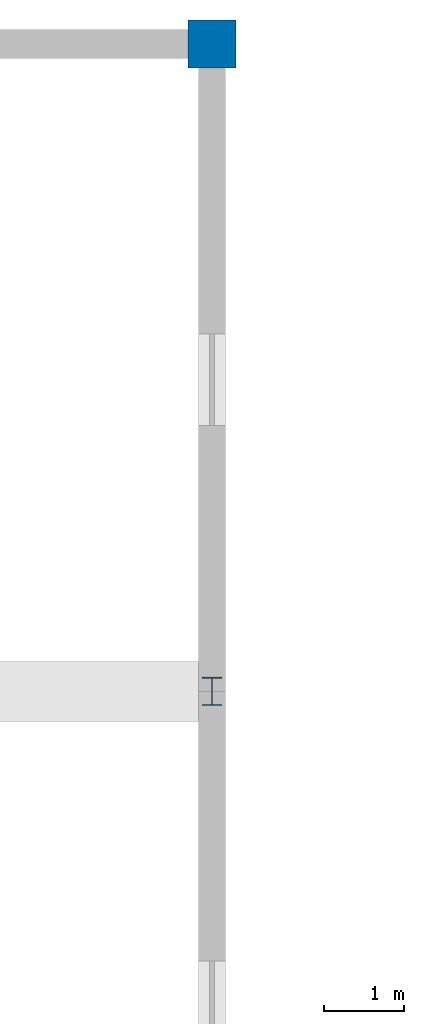
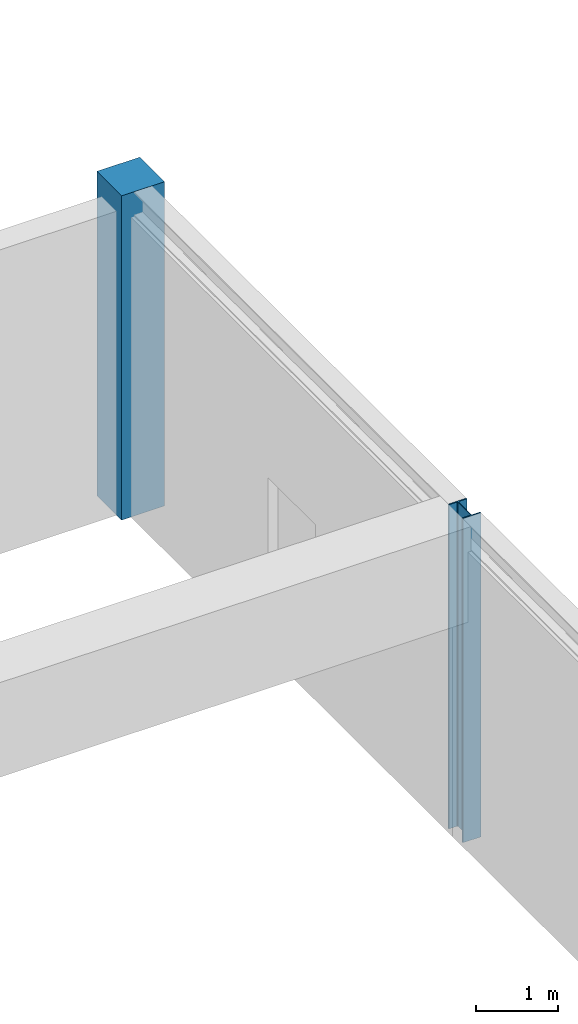
# One storey, part 10 of 58: 2 columns.
"""IFC4 building model written with IfcOpenShell, lengths in metres."""

from ifc_helpers import new_model, si_unit, direction, frame, origin, origin_2d, place, context, subcontext, project, spatial, rectangle, i_section, extrude, material, material_profile, profile_set, type_object, element, save


model = new_model("IFC4")

# Units and contexts
model_context = context("Model", 3, precision=1e-05, world=origin(), true_north=direction((0.0, 1.0)))
body_context = subcontext(model_context, "Body", "Model", "MODEL_VIEW")
ifc_project = project(units=[si_unit("LENGTHUNIT", "METRE"), si_unit("AREAUNIT", "SQUARE_METRE"), si_unit("VOLUMEUNIT", "CUBIC_METRE"), si_unit("PLANEANGLEUNIT", "RADIAN"), si_unit("MASSUNIT", "GRAM", prefix="KILO")], contexts=[model_context])

# Site, building, storey
site_placement = place(None, origin())
site = spatial("IfcSite", under=ifc_project, at=site_placement, CompositionType="ELEMENT")
building_placement = place(site_placement, origin())
building = spatial("IfcBuilding", under=site, at=building_placement, Name="Parian Resonance Hall", CompositionType="ELEMENT")
storey_placement = place(building_placement, frame((0.0, 0.0, 10.199951171875)))
storey = spatial("IfcBuildingStorey", under=building, at=storey_placement, Name="L02", CompositionType="ELEMENT", Elevation=10.199951171875)

# Columns
ifc_material_1 = material(Name="Concrete C40/50", Category="concrete")
ifc_material_profile_1 = material_profile(ifc_material_1, rectangle(XDim=0.60009765625, YDim=0.60009765625, at=origin_2d()), Name="RC-COL-600x600")
ifc_profile_set_1 = profile_set([ifc_material_profile_1], Name="Concrete C40/50")
column_type_1 = type_object("IfcColumnType", Name="COL-RC600", PredefinedType="COLUMN", material=ifc_profile_set_1)
column_1_placement = place(storey_placement, frame((24.300048828125, 105.300048828125, 0.0), z_axis=(0.0, 0.0, 1.0), x_axis=(1.0, 0.0, 0.0)))
element("IfcColumn", 1, at=column_1_placement, inside=storey, type_object=column_type_1, Name="Column G04-14 L02", PredefinedType="COLUMN", context=body_context, shape_type="SweptSolid", body=[
    extrude(rectangle(XDim=0.60009765625, YDim=0.60009765625, at=origin_2d()), origin(), (0.0, 0.0, 1.0), 4.800048828125),
])
ifc_material_2 = material(Name="Steel S355", Category="steel")
ifc_material_profile_2 = material_profile(ifc_material_2, i_section(OverallWidth=0.2548828125, OverallDepth=0.35693359375, WebThickness=0.010498046875, FlangeThickness=0.018310546875, FilletRadius=0.01513671875, at=origin_2d()), Name="W360x101")
ifc_profile_set_2 = profile_set([ifc_material_profile_2], Name="Steel S355")
column_type_2 = type_object("IfcColumnType", Name="COL-W360", PredefinedType="COLUMN", material=ifc_profile_set_2)
column_2_placement = place(storey_placement, frame((24.300048828125, 97.199951171875, 0.0), z_axis=(0.0, 0.0, 1.0), x_axis=(1.0, 0.0, 0.0)))
element("IfcColumn", 2, at=column_2_placement, inside=storey, type_object=column_type_2, Name="Column G04-13 L02", PredefinedType="COLUMN", context=body_context, shape_type="SweptSolid", body=[
    extrude(i_section(OverallWidth=0.2548828125, OverallDepth=0.35693359375, WebThickness=0.010498046875, FlangeThickness=0.018310546875, FilletRadius=0.01513671875, at=origin_2d()), origin(), (0.0, 0.0, 1.0), 4.800048828125),
])

save(model, "model.ifc")
